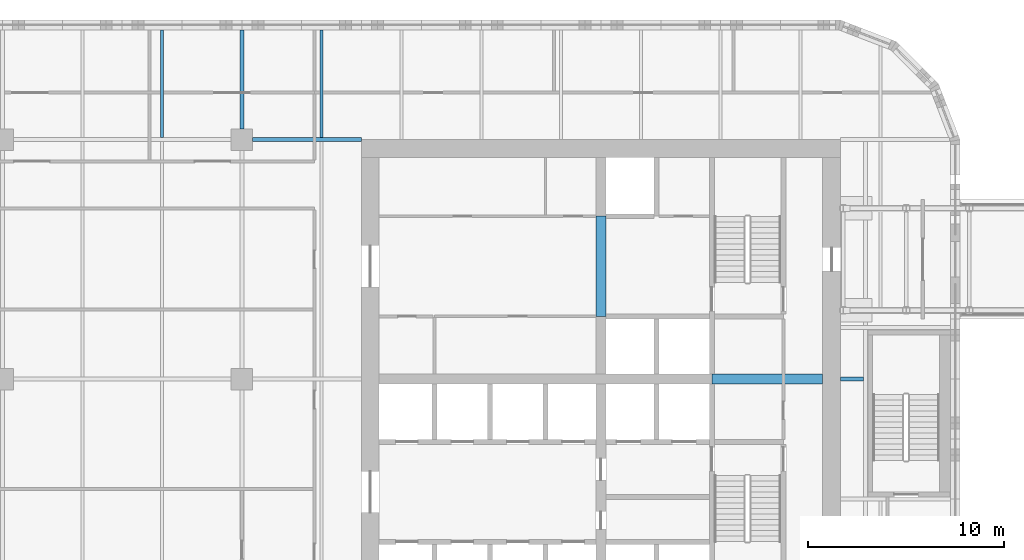
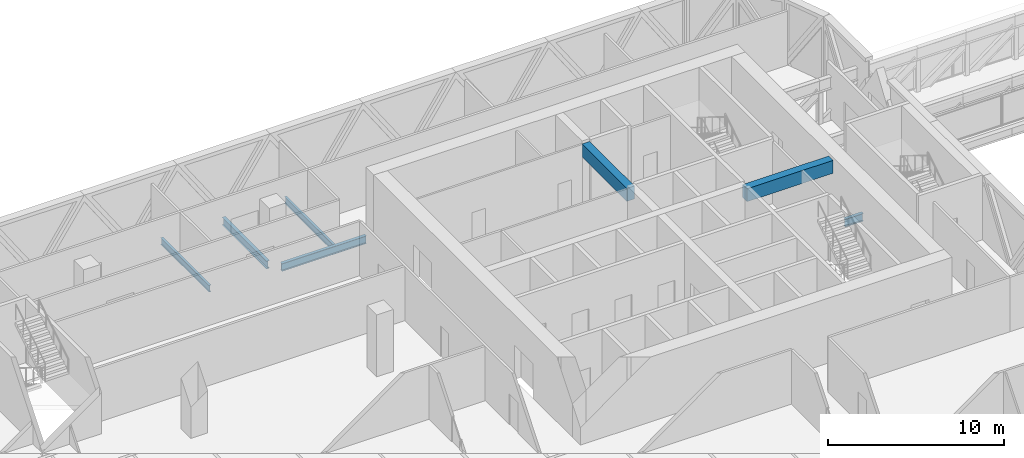
# One storey, part 2 of 30: 7 beams.
"""IFC4 building model written with IfcOpenShell, lengths in metres."""

import ifcopenshell
import ifcopenshell.guid

model = None  # the IFC model being written
_history = None  # IfcOwnerHistory: only IFC2X3 demands one
_inside = {}  # id of a spatial element -> (the spatial element, [elements in it])
_under = {}  # id of a project, library or spatial element -> (it, [spatial elements below it])
_declared = {}  # id of a project -> (the project, [libraries it declares])
_typed = {}  # id of a type object -> (the type object, [elements of that type])
_made_of = {}  # id of a material, layer set ... -> (it, [elements and type objects made of it])


def new_model(schema):
    """Start an empty IFC model of exactly this schema.

    Asked for "IFC4X3", IfcOpenShell would pick the latest addendum, in which some entities
    have other attributes; the version numbers below select the first issue.
    IFC2X3 requires an IfcOwnerHistory on every rooted entity: one is made here for all.
    """
    global model, _history
    if schema == "IFC4X3":
        model = ifcopenshell.file(schema_version=(4, 3, 0, 0))
    else:
        model = ifcopenshell.file(schema=schema)
    _inside.clear()
    _under.clear()
    _declared.clear()
    _typed.clear()
    _made_of.clear()
    _history = None
    if model.schema == "IFC2X3":
        org = make("IfcOrganization", Name="unknown")
        user = make(
            "IfcPersonAndOrganization",
            ThePerson=make("IfcPerson", FamilyName="unknown"),
            TheOrganization=org,
        )
        app = make(
            "IfcApplication",
            ApplicationDeveloper=org,
            Version="unknown",
            ApplicationFullName="unknown",
            ApplicationIdentifier="unknown",
        )
        _history = make(
            "IfcOwnerHistory",
            OwningUser=user,
            OwningApplication=app,
            ChangeAction="ADDED",
            CreationDate=0,
        )
    return model


def make(cls, **values):
    """One entity of the class cls with the attributes given. An attribute that is None is left unset."""
    return model.create_entity(
        cls, **{name: value for name, value in values.items() if value is not None}
    )


def rooted(cls, **values):
    """An entity with a GlobalId (a new one), such as an element, a storey or a relation."""
    return make(cls, GlobalId=ifcopenshell.guid.new(), OwnerHistory=_history, **values)


def si_unit(unit_type, name, prefix=None):
    """IfcSIUnit, for example si_unit("LENGTHUNIT", "METRE", prefix="MILLI")."""
    return make("IfcSIUnit", UnitType=unit_type, Prefix=prefix, Name=name)


def assignment(units):
    """IfcUnitAssignment: the units of a project."""
    return None if units is None else make("IfcUnitAssignment", Units=units)


def point(xyz):
    """IfcCartesianPoint."""
    return None if xyz is None else make("IfcCartesianPoint", Coordinates=xyz)


def direction(xyz):
    """IfcDirection."""
    return None if xyz is None else make("IfcDirection", DirectionRatios=xyz)


def frame(location, z_axis=None, x_axis=None):
    """IfcAxis2Placement3D, a coordinate frame: its origin and axes. An axis left out is left unset."""
    return make(
        "IfcAxis2Placement3D",
        Location=point(location),
        Axis=direction(z_axis),
        RefDirection=direction(x_axis),
    )


def frame_2d(location, x_axis=None):
    """IfcAxis2Placement2D, a coordinate frame in the plane: its origin and x axis."""
    return make(
        "IfcAxis2Placement2D", Location=point(location), RefDirection=direction(x_axis)
    )


def origin():
    """The frame at (0, 0, 0) with its axes left unset."""
    return frame((0.0, 0.0, 0.0))


def origin_2d():
    """The frame at (0, 0) in the plane with its x axis left unset."""
    return frame_2d((0.0, 0.0))


def place(relative_to, where):
    """IfcLocalPlacement: puts the frame where relative to a parent placement (None: the world)."""
    return make(
        "IfcLocalPlacement", PlacementRelTo=relative_to, RelativePlacement=where
    )


def context(
    kind, dimensions, precision=None, world=None, true_north=None, identifier=None
):
    """IfcGeometricRepresentationContext, for example the 3D "Model" context."""
    return make(
        "IfcGeometricRepresentationContext",
        ContextIdentifier=identifier,
        ContextType=kind,
        CoordinateSpaceDimension=dimensions,
        Precision=precision,
        WorldCoordinateSystem=world,
        TrueNorth=true_north,
    )


def subcontext(parent, identifier, kind, view, scale=None):
    """IfcGeometricRepresentationSubContext, for example "Body" below "Model"."""
    return make(
        "IfcGeometricRepresentationSubContext",
        ContextIdentifier=identifier,
        ContextType=kind,
        ParentContext=parent,
        TargetScale=scale,
        TargetView=view,
    )


def project(units=None, contexts=None):
    """IfcProject with its units and contexts."""
    return rooted(
        "IfcProject",
        Name="project",
        RepresentationContexts=contexts,
        UnitsInContext=assignment(units),
    )


def spatial(cls, under=None, at=None, **own):
    """A site, building, storey or space (cls), placed at a placement, below another one or the project."""
    s = rooted(cls, ObjectPlacement=at, **own)
    if under is not None:
        _under.setdefault(under.id(), (under, []))[1].append(s)
    return s


def profile(cls, at=None, kind="AREA", **sizes):
    """A parametric profile (cls). Its sizes go by their IFC names, for example OverallWidth=200.0."""
    return make(cls, ProfileType=kind, Position=at, **sizes)


def rectangle(**sizes):
    """IfcRectangleProfileDef."""
    return profile("IfcRectangleProfileDef", **sizes)


def i_section(**sizes):
    """IfcIShapeProfileDef."""
    return profile("IfcIShapeProfileDef", **sizes)


def extrude(swept, where, along, depth):
    """IfcExtrudedAreaSolid: the profile swept, set in the frame where, extruded along a direction by depth."""
    return make(
        "IfcExtrudedAreaSolid",
        SweptArea=swept,
        Position=where,
        ExtrudedDirection=direction(along),
        Depth=depth,
    )


def shape(context_of_items, identifier, shape_type, items):
    """IfcShapeRepresentation: the items that make up one representation, for example the "Body"."""
    return make(
        "IfcShapeRepresentation",
        ContextOfItems=context_of_items,
        RepresentationIdentifier=identifier,
        RepresentationType=shape_type,
        Items=items,
    )


def material(Name=None, Category=None):
    """IfcMaterial."""
    return make("IfcMaterial", Name=Name, Category=Category)


def material_profile(
    of_material, cross_section, Name=None, Category=None, Priority=None
):
    """IfcMaterialProfile: a cross section and its material."""
    return make(
        "IfcMaterialProfile",
        Name=Name,
        Material=of_material,
        Profile=cross_section,
        Priority=Priority,
        Category=Category,
    )


def profile_set(profiles, Name=None, composite=None):
    """IfcMaterialProfileSet."""
    return make(
        "IfcMaterialProfileSet",
        Name=Name,
        MaterialProfiles=profiles,
        CompositeProfile=composite,
    )


def made_of(thing, what):
    """Note that an element or type object is made of a material, layer set ...; save() writes the relation."""
    if what is not None:
        _made_of.setdefault(what.id(), (what, []))[1].append(thing)
    return thing


def type_object(cls, material=None, **own):
    """A type object (cls), such as IfcWallType, which elements share."""
    return made_of(rooted(cls, **own), material)


def element(
    cls,
    number,
    at=None,
    inside=None,
    cuts=None,
    type_object=None,
    material=None,
    context=None,
    identifier="Body",
    shape_type=None,
    held_by="IfcProductDefinitionShape",
    body=None,
    shapes=None,
    **own,
):
    """One element of the class cls, such as IfcWall. Its Tag is "e" and its number.

    at: its placement. inside: the storey or other place that contains it. cuts: it is an
    opening in that element (IfcRelVoidsElement). A single representation is given by context,
    identifier, shape_type and body (its items); several are given by shapes. held_by: the class
    of the entity that holds the representations. save() writes the other relations.
    """
    e = rooted(cls, Tag="e%d" % number, ObjectPlacement=at, **own)
    if body is not None:
        shapes = [shape(context, identifier, shape_type, body)]
    if shapes is not None:
        e.Representation = make(held_by, Representations=shapes)
    if inside is not None:
        _inside.setdefault(inside.id(), (inside, []))[1].append(e)
    if cuts is not None:
        rooted(
            "IfcRelVoidsElement", RelatingBuildingElement=cuts, RelatedOpeningElement=e
        )
    if type_object is not None:
        _typed.setdefault(type_object.id(), (type_object, []))[1].append(e)
    return made_of(e, material)


def aggregate(whole, parts):
    """IfcRelAggregates: a whole, such as a stair, and the parts it consists of."""
    return rooted("IfcRelAggregates", RelatingObject=whole, RelatedObjects=parts)


def save(model, path):
    """Write the relations noted so far, then the file.

    IfcRelAggregates (storeys below a building ...), IfcRelContainedInSpatialStructure (elements
    in a storey), IfcRelDefinesByType, IfcRelAssociatesMaterial and IfcRelDeclares: one each for
    every whole, place, type object, material and project.
    """
    for whole, parts in _under.values():
        aggregate(whole, parts)
    for where, things in _inside.values():
        rooted(
            "IfcRelContainedInSpatialStructure",
            RelatedElements=things,
            RelatingStructure=where,
        )
    for kind, things in _typed.values():
        rooted("IfcRelDefinesByType", RelatedObjects=things, RelatingType=kind)
    for what, things in _made_of.values():
        rooted("IfcRelAssociatesMaterial", RelatedObjects=things, RelatingMaterial=what)
    for by, libraries in _declared.values():
        rooted("IfcRelDeclares", RelatingContext=by, RelatedDefinitions=libraries)
    model.write(path)


model = new_model("IFC4")

# Units and contexts
model_context = context("Model", 3, precision=1e-05, world=origin(), true_north=direction((0.0, 1.0)))
body_context = subcontext(model_context, "Body", "Model", "MODEL_VIEW")
ifc_project = project(units=[si_unit("LENGTHUNIT", "METRE"), si_unit("AREAUNIT", "SQUARE_METRE"), si_unit("VOLUMEUNIT", "CUBIC_METRE"), si_unit("PLANEANGLEUNIT", "RADIAN"), si_unit("MASSUNIT", "GRAM", prefix="KILO")], contexts=[model_context])

# Site, building, storey
site_placement = place(None, origin())
site = spatial("IfcSite", under=ifc_project, at=site_placement, CompositionType="ELEMENT")
building_placement = place(site_placement, origin())
building = spatial("IfcBuilding", under=site, at=building_placement, Name="Tessera Gate Towers", CompositionType="ELEMENT")
storey_placement = place(building_placement, frame((0.0, 0.0, 21.300048828125)))
storey = spatial("IfcBuildingStorey", under=building, at=storey_placement, Name="L04", CompositionType="ELEMENT", Elevation=21.300048828125)

# Beams
ifc_material_1 = material(Name="Concrete C70/85", Category="concrete")
ifc_material_profile_1 = material_profile(ifc_material_1, rectangle(XDim=0.5, YDim=0.89990234375, at=origin_2d()), Name="RC 500x900")
ifc_profile_set_1 = profile_set([ifc_material_profile_1], Name="Concrete C70/85")
beam_type_1 = type_object("IfcBeamType", Name="COUPLING BEAM 500x900 C70/85", PredefinedType="BEAM", material=ifc_profile_set_1)
beam_1_placement = place(storey_placement, frame((48.35009765625, 36.60009765625, 3.849853515625), z_axis=(1.0, 0.0, 0.0), x_axis=(0.0, 1.0, 0.0)))
element("IfcBeam", 1, at=beam_1_placement, inside=storey, type_object=beam_type_1, Name="L04 coupling beam 1", PredefinedType="BEAM", context=body_context, shape_type="SweptSolid", body=[
    extrude(rectangle(XDim=0.5, YDim=0.89990234375, at=origin_2d()), origin(), (0.0, 0.0, 1.0), 5.64990234375),
])
beam_2_placement = place(storey_placement, frame((42.699951171875, 39.800048828125, 3.849853515625), z_axis=(0.0, 1.0, 0.0), x_axis=(-1.0, 0.0, 0.0)))
element("IfcBeam", 2, at=beam_2_placement, inside=storey, type_object=beam_type_1, Name="L04 coupling beam 2", PredefinedType="BEAM", context=body_context, shape_type="SweptSolid", body=[
    extrude(rectangle(XDim=0.5, YDim=0.89990234375, at=origin_2d()), origin(), (0.0, 0.0, 1.0), 5.099853515625),
])
ifc_material_2 = material(Name="Steel 350W", Category="steel")
ifc_material_profile_2 = material_profile(ifc_material_2, i_section(OverallWidth=0.208984375, OverallDepth=0.532958984375, WebThickness=0.01025390625, FlangeThickness=0.015625, at=origin_2d()), Name="W530x92")
ifc_profile_set_2 = profile_set([ifc_material_profile_2], Name="Steel 350W")
beam_type_2 = type_object("IfcBeamType", Name="FLOOR GIRDER W530x92", PredefinedType="BEAM", material=ifc_profile_set_2)
beam_3_placement = place(storey_placement, frame((54.89892578125, 36.60009765625, -0.466552734375), z_axis=(1.0, 0.0, 0.0), x_axis=(0.0, 1.0, 0.0)))
element("IfcBeam", 3, at=beam_3_placement, inside=storey, type_object=beam_type_2, Name="T1-GD-L04-801", PredefinedType="BEAM", context=body_context, shape_type="SweptSolid", body=[
    extrude(i_section(OverallWidth=0.208984375, OverallDepth=0.532958984375, WebThickness=0.01025390625, FlangeThickness=0.015625, at=origin_2d()), origin(), (0.0, 0.0, 1.0), 1.176513671875),
])
beam_4_placement = place(storey_placement, frame((24.949951171875, 48.800048828125, -0.466552734375), z_axis=(1.0, 0.0, 0.0), x_axis=(0.0, 1.0, 0.0)))
element("IfcBeam", 4, at=beam_4_placement, inside=storey, type_object=beam_type_2, Name="T1-GD-L04-804", PredefinedType="BEAM", context=body_context, shape_type="SweptSolid", body=[
    extrude(i_section(OverallWidth=0.208984375, OverallDepth=0.532958984375, WebThickness=0.01025390625, FlangeThickness=0.015625, at=origin_2d()), origin(), (0.0, 0.0, 1.0), 5.549072265625),
])
beam_5_placement = place(storey_placement, frame((24.39990234375, 49.35009765625, -0.466552734375), z_axis=(0.0, 1.0, 0.0), x_axis=(-1.0, 0.0, 0.0)))
element("IfcBeam", 5, at=beam_5_placement, inside=storey, type_object=beam_type_2, Name="T1-GD-L04-813", PredefinedType="BEAM", context=body_context, shape_type="SweptSolid", body=[
    extrude(i_section(OverallWidth=0.208984375, OverallDepth=0.532958984375, WebThickness=0.01025390625, FlangeThickness=0.015625, at=origin_2d()), origin(), (0.0, 0.0, 1.0), 5.05078125),
])
ifc_material_3 = material(Name="Steel 350W", Category="steel")
ifc_material_profile_3 = material_profile(ifc_material_3, i_section(OverallWidth=0.153076171875, OverallDepth=0.455078125, WebThickness=0.008056640625, FlangeThickness=0.01318359375, at=origin_2d()), Name="W460x60")
ifc_profile_set_3 = profile_set([ifc_material_profile_3], Name="Steel 350W")
beam_type_3 = type_object("IfcBeamType", Name="FLOOR SECONDARY W460x60", PredefinedType="BEAM", material=ifc_profile_set_3)
for number, where, z_axis, x_axis, name in (
    (6, (20.333251953125, 48.904541015625, -0.427490234375), (0.0, 1.0, 0.0), (-1.0, 0.0, 0.0), "T1-BM-L04-842"),
    (7, (28.466796875, 48.904541015625, -0.427490234375), (0.0, 1.0, 0.0), (-1.0, 0.0, 0.0), "T1-BM-L04-847"),
):
    element("IfcBeam", number, at=place(storey_placement, frame(where, z_axis=z_axis, x_axis=x_axis)), inside=storey, type_object=beam_type_3, Name=name, PredefinedType="BEAM", context=body_context, shape_type="SweptSolid", body=[
        extrude(i_section(OverallWidth=0.153076171875, OverallDepth=0.455078125, WebThickness=0.008056640625, FlangeThickness=0.01318359375, at=origin_2d()), origin(), (0.0, 0.0, 1.0), 5.495361328125),
    ])

save(model, "model.ifc")
